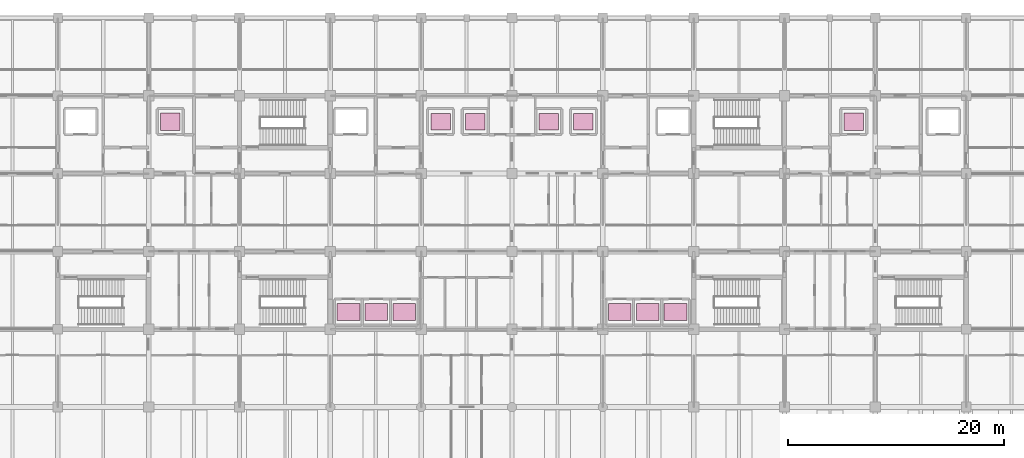
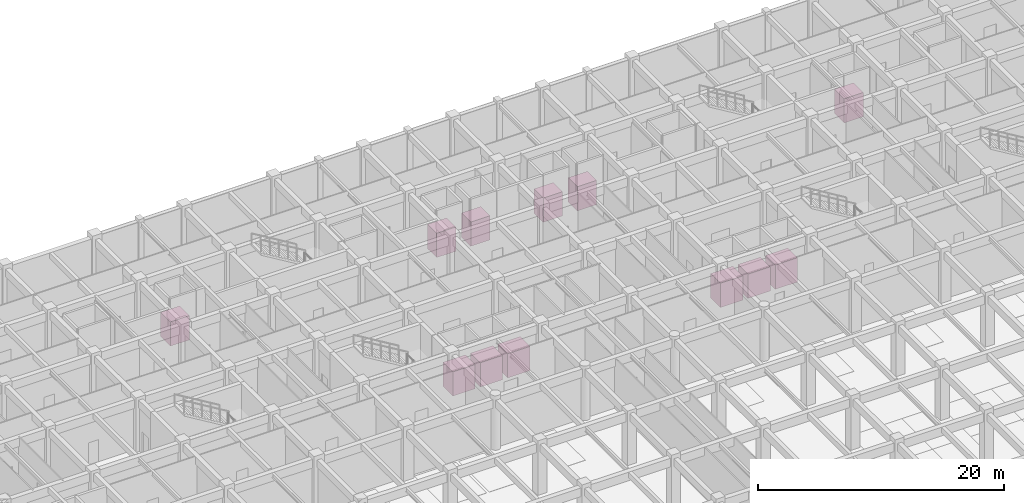
# One storey, part 48 of 48: 12 transport elements.
"""IFC4 building model written with IfcOpenShell, lengths in metres."""

from ifc_helpers import new_model, si_unit, direction, frame, origin, origin_2d, place, context, subcontext, project, spatial, rectangle, extrude, material, type_object, element, save


model = new_model("IFC4")

# Units and contexts
model_context = context("Model", 3, precision=1e-05, world=origin(), true_north=direction((0.0, 1.0)))
body_context = subcontext(model_context, "Body", "Model", "MODEL_VIEW")
ifc_project = project(units=[si_unit("LENGTHUNIT", "METRE"), si_unit("AREAUNIT", "SQUARE_METRE"), si_unit("VOLUMEUNIT", "CUBIC_METRE"), si_unit("PLANEANGLEUNIT", "RADIAN"), si_unit("MASSUNIT", "GRAM", prefix="KILO")], contexts=[model_context])

# Site, building, storey
site_placement = place(None, origin())
site = spatial("IfcSite", under=ifc_project, at=site_placement, CompositionType="ELEMENT")
building_placement = place(site_placement, origin())
building = spatial("IfcBuilding", under=site, at=building_placement, Name="Chengyuan Square Courthouse", CompositionType="ELEMENT")
storey_placement = place(building_placement, frame((0.0, 0.0, -5.39990234375)))
storey = spatial("IfcBuildingStorey", under=building, at=storey_placement, Name="B01", CompositionType="ELEMENT", Elevation=-5.39990234375)

# Transport elements
ifc_material = material(Name="Stainless Steel S30408 Elevator Cab", Category="steel")
transport_element_type_1 = type_object("IfcTransportElementType", Name="LFT-CS", PredefinedType="ELEVATOR", material=ifc_material)
for number, where, z_axis, x_axis, name in (
    (1, (52.39990234375, 105.60009765625, 0.0), (0.0, 0.0, 1.0), (1.0, 0.0, 0.0), "Elevator Car LF-C1"),
    (2, (115.60009765625, 105.60009765625, 0.0), (0.0, 0.0, 1.0), (1.0, 0.0, 0.0), "Elevator Car LF-C2"),
):
    element("IfcTransportElement", number, at=place(storey_placement, frame(where, z_axis=z_axis, x_axis=x_axis)), inside=storey, type_object=transport_element_type_1, Name=name, PredefinedType="ELEVATOR", context=body_context, shape_type="SweptSolid", body=[
        extrude(rectangle(XDim=1.800048828125, YDim=1.60009765625, at=origin_2d()), origin(), (0.0, 0.0, 1.0), 2.39990234375),
    ])
transport_element_type_2 = type_object("IfcTransportElementType", Name="LFT-JD", PredefinedType="ELEVATOR", material=ifc_material)
for number, where, z_axis, x_axis, name in (
    (3, (77.39990234375, 105.60009765625, 0.0), (0.0, 0.0, 1.0), (1.0, 0.0, 0.0), "Elevator Car LF-J1"),
    (4, (80.60009765625, 105.60009765625, 0.0), (0.0, 0.0, 1.0), (1.0, 0.0, 0.0), "Elevator Car LF-J2"),
    (5, (87.39990234375, 105.60009765625, 0.0), (0.0, 0.0, 1.0), (1.0, 0.0, 0.0), "Elevator Car LF-J3"),
    (6, (90.60009765625, 105.60009765625, 0.0), (0.0, 0.0, 1.0), (1.0, 0.0, 0.0), "Elevator Car LF-J4"),
):
    element("IfcTransportElement", number, at=place(storey_placement, frame(where, z_axis=z_axis, x_axis=x_axis)), inside=storey, type_object=transport_element_type_2, Name=name, PredefinedType="ELEVATOR", context=body_context, shape_type="SweptSolid", body=[
        extrude(rectangle(XDim=1.800048828125, YDim=1.5, at=origin_2d()), origin(), (0.0, 0.0, 1.0), 2.39990234375),
    ])
transport_element_type_3 = type_object("IfcTransportElementType", Name="LFT-PB", PredefinedType="ELEVATOR", material=ifc_material)
for number, where, z_axis, x_axis, name in (
    (7, (68.875, 88.0, 0.0), (0.0, 0.0, 1.0), (1.0, 0.0, 0.0), "Elevator Car LF-P1"),
    (8, (71.449951171875, 88.0, 0.0), (0.0, 0.0, 1.0), (1.0, 0.0, 0.0), "Elevator Car LF-P2"),
    (9, (74.02490234375, 88.0, 0.0), (0.0, 0.0, 1.0), (1.0, 0.0, 0.0), "Elevator Car LF-P3"),
    (10, (93.97509765625, 88.0, 0.0), (0.0, 0.0, 1.0), (1.0, 0.0, 0.0), "Elevator Car LF-P4"),
    (11, (96.550048828125, 88.0, 0.0), (0.0, 0.0, 1.0), (1.0, 0.0, 0.0), "Elevator Car LF-P5"),
    (12, (99.125, 88.0, 0.0), (0.0, 0.0, 1.0), (1.0, 0.0, 0.0), "Elevator Car LF-P6"),
):
    element("IfcTransportElement", number, at=place(storey_placement, frame(where, z_axis=z_axis, x_axis=x_axis)), inside=storey, type_object=transport_element_type_3, Name=name, PredefinedType="ELEVATOR", context=body_context, shape_type="SweptSolid", body=[
        extrude(rectangle(XDim=2.10009765625, YDim=1.60009765625, at=origin_2d()), origin(), (0.0, 0.0, 1.0), 2.39990234375),
    ])

save(model, "model.ifc")
